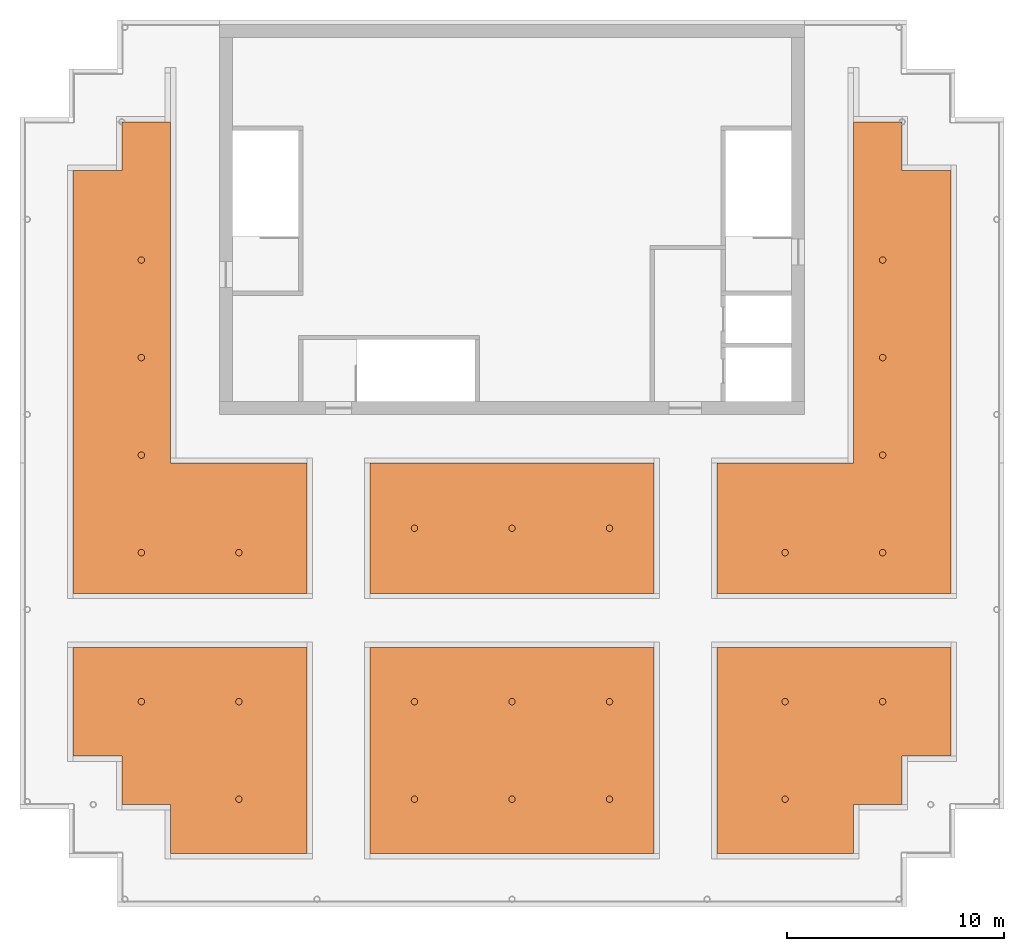
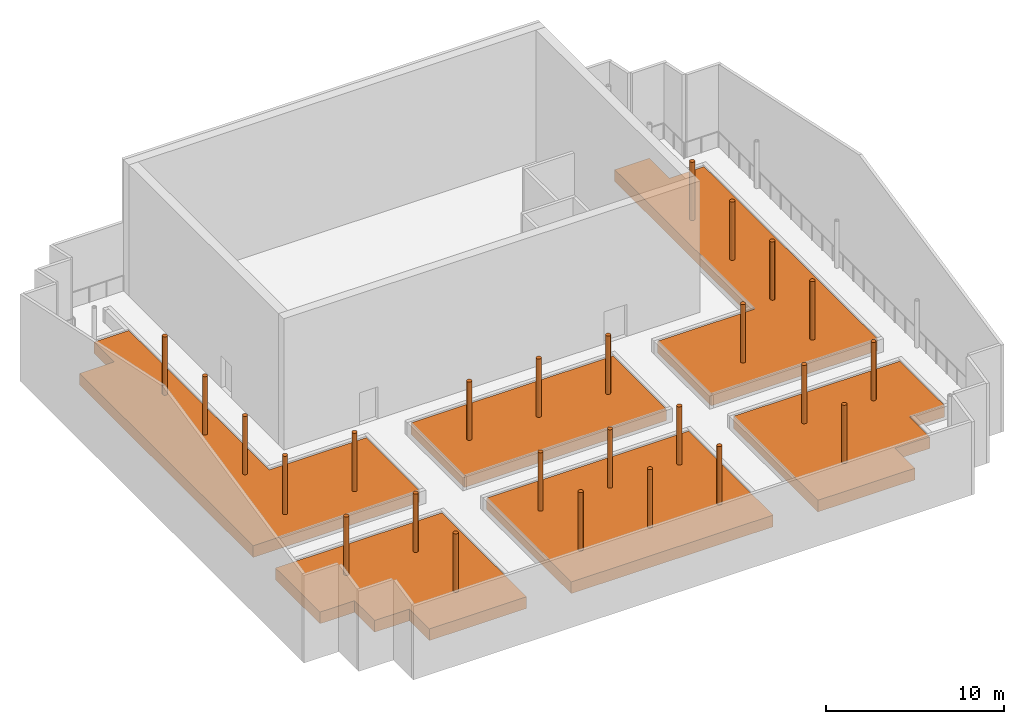
# One storey, part 9 of 9: 25 geographic elements, 6 proxies.
"""IFC4 building model written with IfcOpenShell, lengths in metres."""

from ifc_helpers import new_model, si_unit, direction, frame, origin, origin_2d, place, context, subcontext, project, spatial, polyline, circle, outline, extrude, material, type_object, element, save


model = new_model("IFC4")

# Units and contexts
model_context = context("Model", 3, precision=1e-05, world=origin(), true_north=direction((0.0, 1.0)))
body_context = subcontext(model_context, "Body", "Model", "MODEL_VIEW")
ifc_project = project(units=[si_unit("LENGTHUNIT", "METRE"), si_unit("AREAUNIT", "SQUARE_METRE"), si_unit("VOLUMEUNIT", "CUBIC_METRE"), si_unit("PLANEANGLEUNIT", "RADIAN"), si_unit("MASSUNIT", "GRAM", prefix="KILO")], contexts=[model_context])

# Site, building, storey
site_placement = place(None, origin())
site = spatial("IfcSite", under=ifc_project, at=site_placement, CompositionType="ELEMENT")
building_placement = place(site_placement, origin())
building = spatial("IfcBuilding", under=site, at=building_placement, Name="Orbiselva Terraces", CompositionType="ELEMENT")
storey_placement = place(building_placement, frame((0.0, 0.0, 303.4)))
storey = spatial("IfcBuildingStorey", under=building, at=storey_placement, Name="L75", CompositionType="ELEMENT", Elevation=303.4)

# Proxies
ifc_material_1 = material(Name="Planting soil")
building_element_proxy_type = type_object("IfcBuildingElementProxyType", Name="ENV-PLANTING-SOIL", PredefinedType="USERDEFINED", material=ifc_material_1)
proxy_1_placement = place(storey_placement, origin())
element("IfcBuildingElementProxy", 1, at=proxy_1_placement, inside=storey, type_object=building_element_proxy_type, Name="Planting soil L75 Planting bed 1", ObjectType="PLANTING SOIL", PredefinedType="USERDEFINED", context=body_context, shape_type="SweptSolid", body=[
    extrude(outline(polyline([(-6.55, -15.75), (-6.55, -6.25), (6.55, -6.25), (6.55, -15.75), (-6.55, -15.75)])), origin(), (0.0, 0.0, 1.0), 0.8),
])
proxy_2_placement = place(storey_placement, origin())
element("IfcBuildingElementProxy", 2, at=proxy_2_placement, inside=storey, type_object=building_element_proxy_type, Name="Planting soil L75 Planting bed 2", ObjectType="PLANTING SOIL", PredefinedType="USERDEFINED", context=body_context, shape_type="SweptSolid", body=[
    extrude(outline(polyline([(-15.75, -15.75), (-15.75, -13.5), (-18.0, -13.5), (-18.0, -11.25), (-20.25, -11.25), (-20.25, -6.25), (-9.45, -6.25), (-9.45, -15.75), (-15.75, -15.75)])), origin(), (0.0, 0.0, 1.0), 0.8),
])
proxy_3_placement = place(storey_placement, origin())
element("IfcBuildingElementProxy", 3, at=proxy_3_placement, inside=storey, type_object=building_element_proxy_type, Name="Planting soil L75 Planting bed 3", ObjectType="PLANTING SOIL", PredefinedType="USERDEFINED", context=body_context, shape_type="SweptSolid", body=[
    extrude(outline(polyline([(20.25, -11.25), (18.0, -11.25), (18.0, -13.5), (15.75, -13.5), (15.75, -15.75), (9.45, -15.75), (9.45, -6.25), (20.25, -6.25), (20.25, -11.25)])), origin(), (0.0, 0.0, 1.0), 0.8),
])
proxy_4_placement = place(storey_placement, origin())
element("IfcBuildingElementProxy", 4, at=proxy_4_placement, inside=storey, type_object=building_element_proxy_type, Name="Planting soil L75 Planting bed 4", ObjectType="PLANTING SOIL", PredefinedType="USERDEFINED", context=body_context, shape_type="SweptSolid", body=[
    extrude(outline(polyline([(6.55, 2.25), (6.55, -3.75), (-6.55, -3.75), (-6.55, 2.25), (6.55, 2.25)])), origin(), (0.0, 0.0, 1.0), 0.8),
])
proxy_5_placement = place(storey_placement, origin())
element("IfcBuildingElementProxy", 5, at=proxy_5_placement, inside=storey, type_object=building_element_proxy_type, Name="Planting soil L75 Planting bed 5", ObjectType="PLANTING SOIL", PredefinedType="USERDEFINED", context=body_context, shape_type="SweptSolid", body=[
    extrude(outline(polyline([(-20.25, 15.75), (-18.0, 15.75), (-18.0, 18.0), (-15.75, 18.0), (-15.75, 2.25), (-9.45, 2.25), (-9.45, -3.75), (-20.25, -3.75), (-20.25, 15.75)])), origin(), (0.0, 0.0, 1.0), 0.8),
])
proxy_6_placement = place(storey_placement, origin())
element("IfcBuildingElementProxy", 6, at=proxy_6_placement, inside=storey, type_object=building_element_proxy_type, Name="Planting soil L75 Planting bed 6", ObjectType="PLANTING SOIL", PredefinedType="USERDEFINED", context=body_context, shape_type="SweptSolid", body=[
    extrude(outline(polyline([(15.75, 18.0), (18.0, 18.0), (18.0, 15.75), (20.25, 15.75), (20.25, -3.75), (9.45, -3.75), (9.45, 2.25), (15.75, 2.25), (15.75, 18.0)])), origin(), (0.0, 0.0, 1.0), 0.8),
])

# Geographic elements
ifc_material_2 = material(Name="Planted tree")
geographic_element_type = type_object("IfcGeographicElementType", Name="ENV-TREE-300x4000", PredefinedType="USERDEFINED", material=ifc_material_2)
for number, where, z_axis, x_axis, name in (
    (7, (-4.5, -13.25, 4.8), (0.0, 0.0, -1.0), (1.0, 0.0, 0.0), "Tree L75"),
    (8, (-4.5, -8.75, 4.8), (0.0, 0.0, -1.0), (1.0, 0.0, 0.0), "Tree L75"),
    (9, (0.0, -13.25, 4.8), (0.0, 0.0, -1.0), (1.0, 0.0, 0.0), "Tree L75"),
    (10, (0.0, -8.75, 4.8), (0.0, 0.0, -1.0), (1.0, 0.0, 0.0), "Tree L75"),
    (11, (4.5, -13.25, 4.8), (0.0, 0.0, -1.0), (1.0, 0.0, 0.0), "Tree L75"),
    (12, (4.5, -8.75, 4.8), (0.0, 0.0, -1.0), (1.0, 0.0, 0.0), "Tree L75"),
    (13, (-17.1, -8.75, 4.8), (0.0, 0.0, -1.0), (1.0, 0.0, 0.0), "Tree L75"),
    (14, (-12.6, -13.25, 4.8), (0.0, 0.0, -1.0), (1.0, 0.0, 0.0), "Tree L75"),
    (15, (-12.6, -8.75, 4.8), (0.0, 0.0, -1.0), (1.0, 0.0, 0.0), "Tree L75"),
    (16, (12.6, -13.25, 4.8), (0.0, 0.0, -1.0), (1.0, 0.0, 0.0), "Tree L75"),
    (17, (12.6, -8.75, 4.8), (0.0, 0.0, -1.0), (1.0, 0.0, 0.0), "Tree L75"),
    (18, (17.1, -8.75, 4.8), (0.0, 0.0, -1.0), (1.0, 0.0, 0.0), "Tree L75"),
    (19, (-4.5, -0.75, 4.8), (0.0, 0.0, -1.0), (1.0, 0.0, 0.0), "Tree L75"),
    (20, (0.0, -0.75, 4.8), (0.0, 0.0, -1.0), (1.0, 0.0, 0.0), "Tree L75"),
    (21, (4.5, -0.75, 4.8), (0.0, 0.0, -1.0), (1.0, 0.0, 0.0), "Tree L75"),
    (22, (-17.1, -1.875, 4.8), (0.0, 0.0, -1.0), (1.0, 0.0, 0.0), "Tree L75"),
    (23, (-17.1, 2.625, 4.8), (0.0, 0.0, -1.0), (1.0, 0.0, 0.0), "Tree L75"),
    (24, (-17.1, 7.125, 4.8), (0.0, 0.0, -1.0), (1.0, 0.0, 0.0), "Tree L75"),
    (25, (-17.1, 11.625, 4.8), (0.0, 0.0, -1.0), (1.0, 0.0, 0.0), "Tree L75"),
    (26, (-12.6, -1.875, 4.8), (0.0, 0.0, -1.0), (1.0, 0.0, 0.0), "Tree L75"),
    (27, (12.6, -1.875, 4.8), (0.0, 0.0, -1.0), (1.0, 0.0, 0.0), "Tree L75"),
    (28, (17.1, -1.875, 4.8), (0.0, 0.0, -1.0), (1.0, 0.0, 0.0), "Tree L75"),
    (29, (17.1, 2.625, 4.8), (0.0, 0.0, -1.0), (1.0, 0.0, 0.0), "Tree L75"),
    (30, (17.1, 7.125, 4.8), (0.0, 0.0, -1.0), (1.0, 0.0, 0.0), "Tree L75"),
    (31, (17.1, 11.625, 4.8), (0.0, 0.0, -1.0), (1.0, 0.0, 0.0), "Tree L75"),
):
    element("IfcGeographicElement", number, at=place(storey_placement, frame(where, z_axis=z_axis, x_axis=x_axis)), inside=storey, type_object=geographic_element_type, Name=name, ObjectType="TREE", PredefinedType="USERDEFINED", context=body_context, shape_type="SweptSolid", body=[
        extrude(circle(Radius=0.15, at=origin_2d()), origin(), (0.0, 0.0, 1.0), 4.0),
    ])

save(model, "model.ifc")
